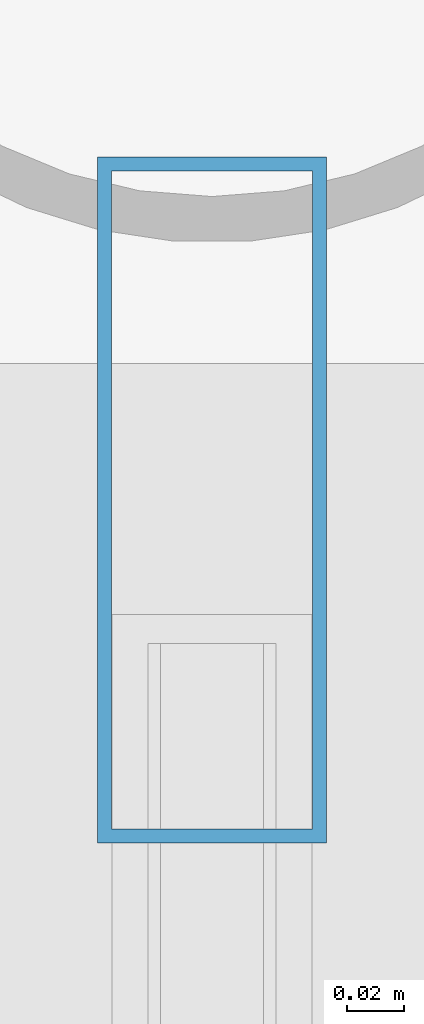
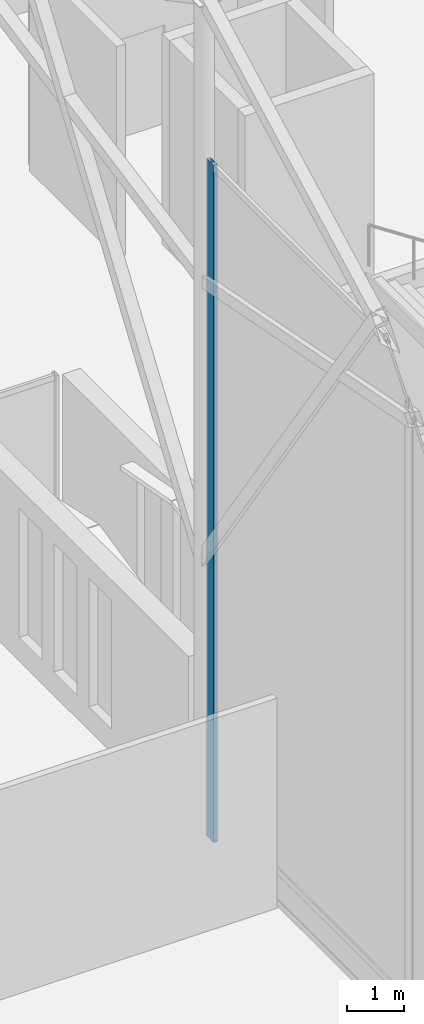
# One storey, part 71 of 220: 1 member, 1 element without a shape of its own.
"""IFC4 building model written with IfcOpenShell, lengths in metres."""

from ifc_helpers import new_model, si_unit, direction, frame, origin, origin_2d, place, context, subcontext, project, spatial, hollow_rectangle, extrude, material, material_profile, profile_set, type_object, element, aggregate, save


model = new_model("IFC4")

# Units and contexts
model_context = context("Model", 3, precision=1e-05, world=origin(), true_north=direction((0.0, 1.0)))
body_context = subcontext(model_context, "Body", "Model", "MODEL_VIEW")
ifc_project = project(units=[si_unit("LENGTHUNIT", "METRE"), si_unit("AREAUNIT", "SQUARE_METRE"), si_unit("VOLUMEUNIT", "CUBIC_METRE"), si_unit("PLANEANGLEUNIT", "RADIAN"), si_unit("MASSUNIT", "GRAM", prefix="KILO")], contexts=[model_context])

# Site, building, storey
site_placement = place(None, origin())
site = spatial("IfcSite", under=ifc_project, at=site_placement, CompositionType="ELEMENT")
building_placement = place(site_placement, origin())
building = spatial("IfcBuilding", under=site, at=building_placement, Name="Cendralis Lancet Convention Centre", CompositionType="ELEMENT")
storey_placement = place(building_placement, frame((0.0, 0.0, 5.39990234375)))
storey = spatial("IfcBuildingStorey", under=building, at=storey_placement, Name="L01", CompositionType="ELEMENT", Elevation=5.39990234375)

# Curtain wall, member
ifc_material = material(Name="Anodised bronze architectural aluminium", Category="aluminium")
curtain_wall_type = type_object("IfcCurtainWallType", Name="ARC-CW-GB02", PredefinedType="USERDEFINED", material=ifc_material)
curtain_wall_placement = place(storey_placement, origin())
curtain_wall = element("IfcCurtainWall", 1, at=curtain_wall_placement, inside=storey, type_object=curtain_wall_type, Name="L01 Curtain Wall CW-GB2 #107", ObjectType="CURTAIN WALL", PredefinedType="USERDEFINED")
ifc_material_profile = material_profile(ifc_material, hollow_rectangle(XDim=0.080078125, YDim=0.239990234375, WallThickness=0.0048828125, at=origin_2d()), Name="AL-MULL 80x240x5.0")
ifc_profile_set = profile_set([ifc_material_profile], Name="Anodised bronze architectural aluminium")
member_type = type_object("IfcMemberType", Name="ARC-CW-ML03", PredefinedType="MULLION", material=ifc_profile_set)
member_placement = place(storey_placement, frame((122.39990234375, 93.332275390625, 0.0), z_axis=(0.0, 0.0, 1.0), x_axis=(1.0, 0.0, 0.0)))
member = element("IfcMember", 2, at=member_placement, type_object=member_type, Name="Mullion CW2-CW-GB2-L01-107-M0", PredefinedType="MULLION", context=body_context, shape_type="SweptSolid", body=[
    extrude(hollow_rectangle(XDim=0.080078125, YDim=0.239990234375, WallThickness=0.0048828125, at=origin_2d()), origin(), (0.0, 0.0, 1.0), 14.4560546875),
])
aggregate(curtain_wall, [member])

save(model, "model.ifc")
